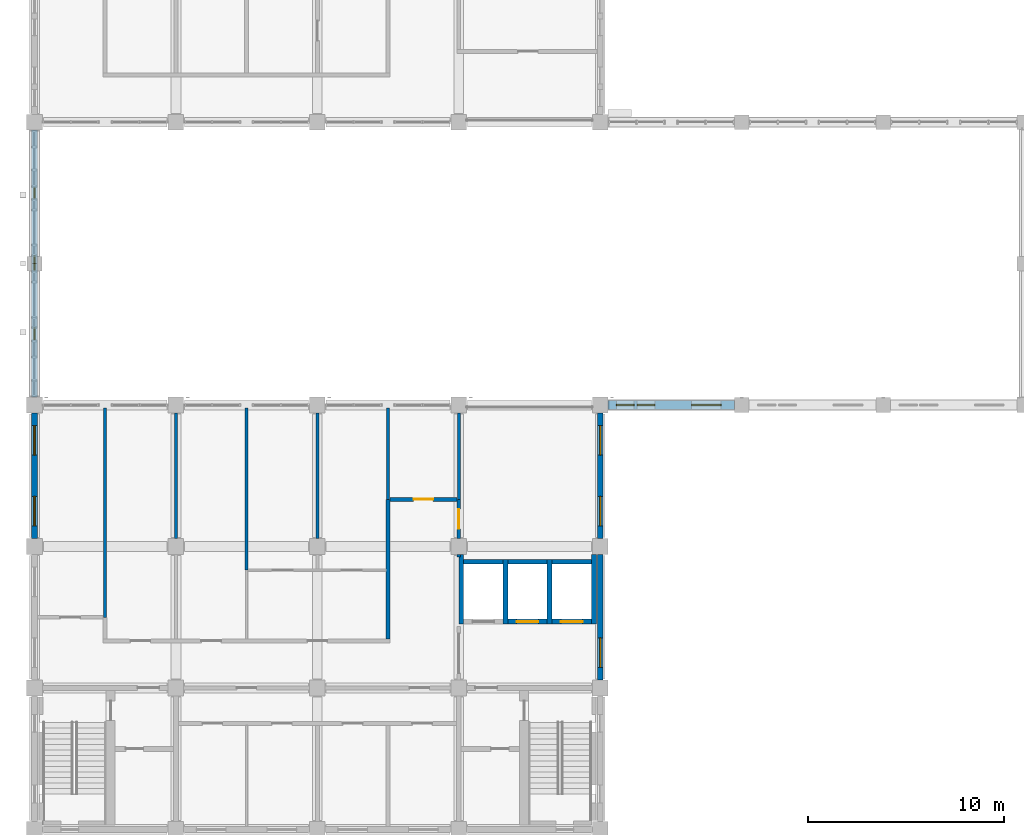
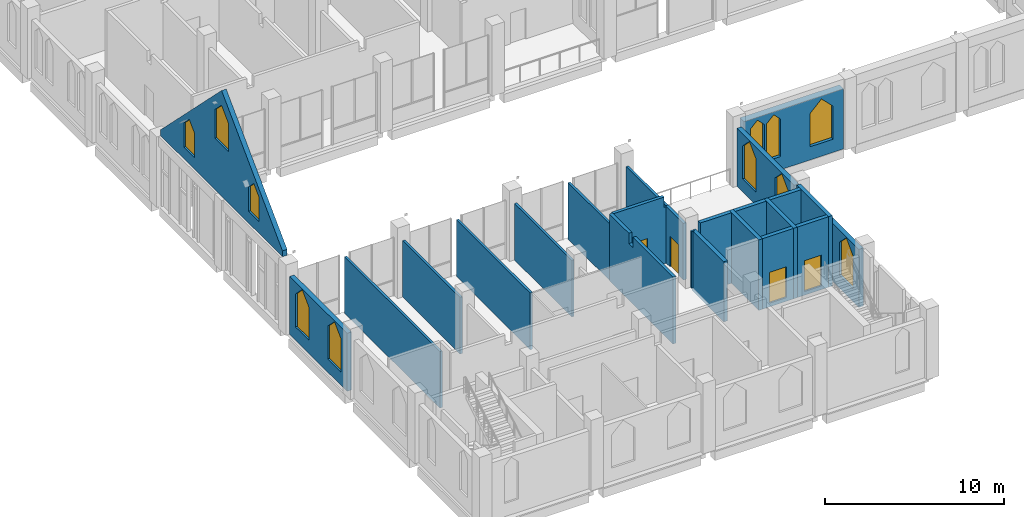
# One storey, part 20 of 31: 24 walls, 11 windows, 4 doors, 15 openings.
"""IFC4 building model written with IfcOpenShell, lengths in metres."""

import ifcopenshell
import ifcopenshell.guid

model = None  # the IFC model being written
_history = None  # IfcOwnerHistory: only IFC2X3 demands one
_inside = {}  # id of a spatial element -> (the spatial element, [elements in it])
_under = {}  # id of a project, library or spatial element -> (it, [spatial elements below it])
_declared = {}  # id of a project -> (the project, [libraries it declares])
_typed = {}  # id of a type object -> (the type object, [elements of that type])
_made_of = {}  # id of a material, layer set ... -> (it, [elements and type objects made of it])


def new_model(schema):
    """Start an empty IFC model of exactly this schema.

    Asked for "IFC4X3", IfcOpenShell would pick the latest addendum, in which some entities
    have other attributes; the version numbers below select the first issue.
    IFC2X3 requires an IfcOwnerHistory on every rooted entity: one is made here for all.
    """
    global model, _history
    if schema == "IFC4X3":
        model = ifcopenshell.file(schema_version=(4, 3, 0, 0))
    else:
        model = ifcopenshell.file(schema=schema)
    _inside.clear()
    _under.clear()
    _declared.clear()
    _typed.clear()
    _made_of.clear()
    _history = None
    if model.schema == "IFC2X3":
        org = make("IfcOrganization", Name="unknown")
        user = make(
            "IfcPersonAndOrganization",
            ThePerson=make("IfcPerson", FamilyName="unknown"),
            TheOrganization=org,
        )
        app = make(
            "IfcApplication",
            ApplicationDeveloper=org,
            Version="unknown",
            ApplicationFullName="unknown",
            ApplicationIdentifier="unknown",
        )
        _history = make(
            "IfcOwnerHistory",
            OwningUser=user,
            OwningApplication=app,
            ChangeAction="ADDED",
            CreationDate=0,
        )
    return model


def make(cls, **values):
    """One entity of the class cls with the attributes given. An attribute that is None is left unset."""
    return model.create_entity(
        cls, **{name: value for name, value in values.items() if value is not None}
    )


def rooted(cls, **values):
    """An entity with a GlobalId (a new one), such as an element, a storey or a relation."""
    return make(cls, GlobalId=ifcopenshell.guid.new(), OwnerHistory=_history, **values)


def si_unit(unit_type, name, prefix=None):
    """IfcSIUnit, for example si_unit("LENGTHUNIT", "METRE", prefix="MILLI")."""
    return make("IfcSIUnit", UnitType=unit_type, Prefix=prefix, Name=name)


def assignment(units):
    """IfcUnitAssignment: the units of a project."""
    return None if units is None else make("IfcUnitAssignment", Units=units)


def point(xyz):
    """IfcCartesianPoint."""
    return None if xyz is None else make("IfcCartesianPoint", Coordinates=xyz)


def direction(xyz):
    """IfcDirection."""
    return None if xyz is None else make("IfcDirection", DirectionRatios=xyz)


def frame(location, z_axis=None, x_axis=None):
    """IfcAxis2Placement3D, a coordinate frame: its origin and axes. An axis left out is left unset."""
    return make(
        "IfcAxis2Placement3D",
        Location=point(location),
        Axis=direction(z_axis),
        RefDirection=direction(x_axis),
    )


def frame_2d(location, x_axis=None):
    """IfcAxis2Placement2D, a coordinate frame in the plane: its origin and x axis."""
    return make(
        "IfcAxis2Placement2D", Location=point(location), RefDirection=direction(x_axis)
    )


def origin():
    """The frame at (0, 0, 0) with its axes left unset."""
    return frame((0.0, 0.0, 0.0))


def place(relative_to, where):
    """IfcLocalPlacement: puts the frame where relative to a parent placement (None: the world)."""
    return make(
        "IfcLocalPlacement", PlacementRelTo=relative_to, RelativePlacement=where
    )


def context(
    kind, dimensions, precision=None, world=None, true_north=None, identifier=None
):
    """IfcGeometricRepresentationContext, for example the 3D "Model" context."""
    return make(
        "IfcGeometricRepresentationContext",
        ContextIdentifier=identifier,
        ContextType=kind,
        CoordinateSpaceDimension=dimensions,
        Precision=precision,
        WorldCoordinateSystem=world,
        TrueNorth=true_north,
    )


def subcontext(parent, identifier, kind, view, scale=None):
    """IfcGeometricRepresentationSubContext, for example "Body" below "Model"."""
    return make(
        "IfcGeometricRepresentationSubContext",
        ContextIdentifier=identifier,
        ContextType=kind,
        ParentContext=parent,
        TargetScale=scale,
        TargetView=view,
    )


def project(units=None, contexts=None):
    """IfcProject with its units and contexts."""
    return rooted(
        "IfcProject",
        Name="project",
        RepresentationContexts=contexts,
        UnitsInContext=assignment(units),
    )


def spatial(cls, under=None, at=None, **own):
    """A site, building, storey or space (cls), placed at a placement, below another one or the project."""
    s = rooted(cls, ObjectPlacement=at, **own)
    if under is not None:
        _under.setdefault(under.id(), (under, []))[1].append(s)
    return s


def polyline(points):
    """IfcPolyline through the points."""
    return make("IfcPolyline", Points=[point(p) for p in points])


def profile(cls, at=None, kind="AREA", **sizes):
    """A parametric profile (cls). Its sizes go by their IFC names, for example OverallWidth=200.0."""
    return make(cls, ProfileType=kind, Position=at, **sizes)


def rectangle(**sizes):
    """IfcRectangleProfileDef."""
    return profile("IfcRectangleProfileDef", **sizes)


def outline(outer, holes=None, kind="AREA"):
    """IfcArbitraryClosedProfileDef: a profile drawn as a closed curve; with holes, ...WithVoids."""
    if holes is None:
        return make("IfcArbitraryClosedProfileDef", ProfileType=kind, OuterCurve=outer)
    return make(
        "IfcArbitraryProfileDefWithVoids",
        ProfileType=kind,
        OuterCurve=outer,
        InnerCurves=holes,
    )


def extrude(swept, where, along, depth):
    """IfcExtrudedAreaSolid: the profile swept, set in the frame where, extruded along a direction by depth."""
    return make(
        "IfcExtrudedAreaSolid",
        SweptArea=swept,
        Position=where,
        ExtrudedDirection=direction(along),
        Depth=depth,
    )


def shape(context_of_items, identifier, shape_type, items):
    """IfcShapeRepresentation: the items that make up one representation, for example the "Body"."""
    return make(
        "IfcShapeRepresentation",
        ContextOfItems=context_of_items,
        RepresentationIdentifier=identifier,
        RepresentationType=shape_type,
        Items=items,
    )


def material(Name=None, Category=None):
    """IfcMaterial."""
    return make("IfcMaterial", Name=Name, Category=Category)


def layer(
    of_material, thickness, ventilated=None, Name=None, Category=None, Priority=None
):
    """IfcMaterialLayer: one layer of a wall or slab, of a material (None: an air gap)."""
    return make(
        "IfcMaterialLayer",
        Material=of_material,
        LayerThickness=thickness,
        IsVentilated=ventilated,
        Name=Name,
        Category=Category,
        Priority=Priority,
    )


def layer_set(layers, Name=None):
    """IfcMaterialLayerSet."""
    return make("IfcMaterialLayerSet", MaterialLayers=layers, LayerSetName=Name)


def made_of(thing, what):
    """Note that an element or type object is made of a material, layer set ...; save() writes the relation."""
    if what is not None:
        _made_of.setdefault(what.id(), (what, []))[1].append(thing)
    return thing


def type_object(cls, material=None, **own):
    """A type object (cls), such as IfcWallType, which elements share."""
    return made_of(rooted(cls, **own), material)


def element(
    cls,
    number,
    at=None,
    inside=None,
    cuts=None,
    type_object=None,
    material=None,
    context=None,
    identifier="Body",
    shape_type=None,
    held_by="IfcProductDefinitionShape",
    body=None,
    shapes=None,
    **own,
):
    """One element of the class cls, such as IfcWall. Its Tag is "e" and its number.

    at: its placement. inside: the storey or other place that contains it. cuts: it is an
    opening in that element (IfcRelVoidsElement). A single representation is given by context,
    identifier, shape_type and body (its items); several are given by shapes. held_by: the class
    of the entity that holds the representations. save() writes the other relations.
    """
    e = rooted(cls, Tag="e%d" % number, ObjectPlacement=at, **own)
    if body is not None:
        shapes = [shape(context, identifier, shape_type, body)]
    if shapes is not None:
        e.Representation = make(held_by, Representations=shapes)
    if inside is not None:
        _inside.setdefault(inside.id(), (inside, []))[1].append(e)
    if cuts is not None:
        rooted(
            "IfcRelVoidsElement", RelatingBuildingElement=cuts, RelatedOpeningElement=e
        )
    if type_object is not None:
        _typed.setdefault(type_object.id(), (type_object, []))[1].append(e)
    return made_of(e, material)


def fill(opening, filler):
    """IfcRelFillsElement: the door or window that sits in an opening."""
    return rooted(
        "IfcRelFillsElement",
        RelatingOpeningElement=opening,
        RelatedBuildingElement=filler,
    )


def aggregate(whole, parts):
    """IfcRelAggregates: a whole, such as a stair, and the parts it consists of."""
    return rooted("IfcRelAggregates", RelatingObject=whole, RelatedObjects=parts)


def save(model, path):
    """Write the relations noted so far, then the file.

    IfcRelAggregates (storeys below a building ...), IfcRelContainedInSpatialStructure (elements
    in a storey), IfcRelDefinesByType, IfcRelAssociatesMaterial and IfcRelDeclares: one each for
    every whole, place, type object, material and project.
    """
    for whole, parts in _under.values():
        aggregate(whole, parts)
    for where, things in _inside.values():
        rooted(
            "IfcRelContainedInSpatialStructure",
            RelatedElements=things,
            RelatingStructure=where,
        )
    for kind, things in _typed.values():
        rooted("IfcRelDefinesByType", RelatedObjects=things, RelatingType=kind)
    for what, things in _made_of.values():
        rooted("IfcRelAssociatesMaterial", RelatedObjects=things, RelatingMaterial=what)
    for by, libraries in _declared.values():
        rooted("IfcRelDeclares", RelatingContext=by, RelatedDefinitions=libraries)
    model.write(path)


model = new_model("IFC4")

# Units and contexts
model_context = context("Model", 3, precision=1e-05, world=origin(), true_north=direction((0.0, 1.0)))
body_context = subcontext(model_context, "Body", "Model", "MODEL_VIEW")
ifc_project = project(units=[si_unit("LENGTHUNIT", "METRE"), si_unit("AREAUNIT", "SQUARE_METRE"), si_unit("VOLUMEUNIT", "CUBIC_METRE"), si_unit("PLANEANGLEUNIT", "RADIAN"), si_unit("MASSUNIT", "GRAM", prefix="KILO")], contexts=[model_context])

# Site, building, storey
site_placement = place(None, origin())
site = spatial("IfcSite", under=ifc_project, at=site_placement, CompositionType="ELEMENT")
building_placement = place(site_placement, origin())
building = spatial("IfcBuilding", under=site, at=building_placement, Name="Silangan Lancet Faculty of Sciences", CompositionType="ELEMENT")
storey_placement = place(building_placement, frame((0.0, 0.0, 36.0)))
storey = spatial("IfcBuildingStorey", under=building, at=storey_placement, Name="L07", CompositionType="ELEMENT", Elevation=36.0)

# Wall, openings, windows
ifc_material_1 = material(Name="Concrete C40/50 precast", Category="concrete")
ifc_layer_1 = layer(ifc_material_1, 0.300048828125)
ifc_layer_set_1 = layer_set([ifc_layer_1], Name="Concrete C40/50 precast")
wall_type_1 = type_object("IfcWallType", Name="EW1 Precast cladding wall", PredefinedType="STANDARD", material=ifc_layer_set_1)
wall_1_placement = place(storey_placement, frame((0.0, 14.800048828125, 0.0), z_axis=(0.0, 0.0, 1.0), x_axis=(0.0, 1.0, 0.0)))
wall_1 = element("IfcWall", 1, at=wall_1_placement, inside=storey, type_object=wall_type_1, Name="EW-L07-W-ST-02", PredefinedType="STANDARD", context=body_context, shape_type="SweptSolid", body=[
    extrude(rectangle(XDim=6.39990234375, YDim=0.300048828125, at=frame_2d((3.199951171875, 0.0))), origin(), (0.0, 0.0, 1.0), 3.949951171875),
])
opening_1_placement = place(wall_1_placement, frame((0.64990234375, 0.0, 0.89990234375)))
opening_1 = element("IfcOpeningElement", 2, at=opening_1_placement, cuts=wall_1, Name="Opening W20", PredefinedType="OPENING", context=body_context, shape_type="SweptSolid", body=[
    extrude(outline(polyline([(0.0, 0.0), (1.5, 0.0), (1.5, 2.25), (0.75, 3.0), (0.0, 2.25), (0.0, 0.0)])), frame((0.0, 0.159912109375, 0.0), z_axis=(0.0, -1.0, 0.0), x_axis=(1.0, 0.0, 0.0)), (0.0, 0.0, 1.0), 0.320068359375),
])
opening_2_placement = place(wall_1_placement, frame((4.25, 0.0, 0.89990234375)))
opening_2 = element("IfcOpeningElement", 3, at=opening_2_placement, cuts=wall_1, Name="Opening W20", PredefinedType="OPENING", context=body_context, shape_type="SweptSolid", body=[
    extrude(outline(polyline([(0.0, 0.0), (1.5, 0.0), (1.5, 2.25), (0.75, 3.0), (0.0, 2.25), (0.0, 0.0)])), frame((0.0, 0.159912109375, 0.0), z_axis=(0.0, -1.0, 0.0), x_axis=(1.0, 0.0, 0.0)), (0.0, 0.0, 1.0), 0.320068359375),
])
ifc_material_2 = material(Name="Aluminium frame, laminated double glazing", Category="aluminium")
window_type_1 = type_object("IfcWindowType", Name="W20 Lancet window 1500 x 3000", PartitioningType="SINGLE_PANEL", PredefinedType="WINDOW", material=ifc_material_2)
window_1_placement = place(opening_1_placement, origin())
window_1 = element("IfcWindow", 4, at=window_1_placement, inside=storey, type_object=window_type_1, Name="WIN-L07-W-ST-02a", OverallHeight=3.0, OverallWidth=1.5, PartitioningType="SINGLE_PANEL", PredefinedType="WINDOW", context=body_context, shape_type="SweptSolid", body=[
    extrude(outline(polyline([(0.0, 0.0), (1.5, 0.0), (1.5, 2.25), (0.75, 3.0), (0.0, 2.25), (0.0, 0.0)])), frame((0.0, 0.030029296875, 0.0), z_axis=(0.0, -1.0, 0.0), x_axis=(1.0, 0.0, 0.0)), (0.0, 0.0, 1.0), 0.06005859375),
])
fill(opening_1, window_1)
window_2_placement = place(opening_2_placement, origin())
window_2 = element("IfcWindow", 5, at=window_2_placement, inside=storey, type_object=window_type_1, Name="WIN-L07-W-ST-02b", OverallHeight=3.0, OverallWidth=1.5, PartitioningType="SINGLE_PANEL", PredefinedType="WINDOW", context=body_context, shape_type="SweptSolid", body=[
    extrude(outline(polyline([(0.0, 0.0), (1.5, 0.0), (1.5, 2.25), (0.75, 3.0), (0.0, 2.25), (0.0, 0.0)])), frame((0.0, 0.030029296875, 0.0), z_axis=(0.0, -1.0, 0.0), x_axis=(1.0, 0.0, 0.0)), (0.0, 0.0, 1.0), 0.06005859375),
])
fill(opening_2, window_2)

# Wall, opening, window
wall_2_placement = place(storey_placement, frame((28.800048828125, 7.60009765625, 0.0), z_axis=(0.0, 0.0, 1.0), x_axis=(0.0, 1.0, 0.0)))
wall_2 = element("IfcWall", 6, at=wall_2_placement, inside=storey, type_object=wall_type_1, Name="EW-L07-E-ST-01", PredefinedType="STANDARD", context=body_context, shape_type="SweptSolid", body=[
    extrude(rectangle(XDim=6.39990234375, YDim=0.300048828125, at=frame_2d((3.199951171875, 0.0))), origin(), (0.0, 0.0, 1.0), 3.949951171875),
])
opening_3_placement = place(wall_2_placement, frame((0.64990234375, 0.0, 0.89990234375)))
opening_3 = element("IfcOpeningElement", 7, at=opening_3_placement, cuts=wall_2, Name="Opening W20", PredefinedType="OPENING", context=body_context, shape_type="SweptSolid", body=[
    extrude(outline(polyline([(0.0, 0.0), (1.5, 0.0), (1.5, 2.25), (0.75, 3.0), (0.0, 2.25), (0.0, 0.0)])), frame((0.0, 0.159912109375, 0.0), z_axis=(0.0, -1.0, 0.0), x_axis=(1.0, 0.0, 0.0)), (0.0, 0.0, 1.0), 0.320068359375),
])
window_3_placement = place(opening_3_placement, origin())
window_3 = element("IfcWindow", 8, at=window_3_placement, inside=storey, type_object=window_type_1, Name="WIN-L07-E-ST-01a", OverallHeight=3.0, OverallWidth=1.5, PartitioningType="SINGLE_PANEL", PredefinedType="WINDOW", context=body_context, shape_type="SweptSolid", body=[
    extrude(outline(polyline([(0.0, 0.0), (1.5, 0.0), (1.5, 2.25), (0.75, 3.0), (0.0, 2.25), (0.0, 0.0)])), frame((0.0, 0.030029296875, 0.0), z_axis=(0.0, -1.0, 0.0), x_axis=(1.0, 0.0, 0.0)), (0.0, 0.0, 1.0), 0.06005859375),
])
fill(opening_3, window_3)

# Wall, openings, windows
wall_3_placement = place(storey_placement, frame((28.800048828125, 14.800048828125, 0.0), z_axis=(0.0, 0.0, 1.0), x_axis=(0.0, 1.0, 0.0)))
wall_3 = element("IfcWall", 9, at=wall_3_placement, inside=storey, type_object=wall_type_1, Name="EW-L07-E-ST-02", PredefinedType="STANDARD", context=body_context, shape_type="SweptSolid", body=[
    extrude(rectangle(XDim=6.39990234375, YDim=0.300048828125, at=frame_2d((3.199951171875, 0.0))), origin(), (0.0, 0.0, 1.0), 3.949951171875),
])
opening_4_placement = place(wall_3_placement, frame((0.64990234375, 0.0, 0.89990234375)))
opening_4 = element("IfcOpeningElement", 10, at=opening_4_placement, cuts=wall_3, Name="Opening W20", PredefinedType="OPENING", context=body_context, shape_type="SweptSolid", body=[
    extrude(outline(polyline([(0.0, 0.0), (1.5, 0.0), (1.5, 2.25), (0.75, 3.0), (0.0, 2.25), (0.0, 0.0)])), frame((0.0, 0.159912109375, 0.0), z_axis=(0.0, -1.0, 0.0), x_axis=(1.0, 0.0, 0.0)), (0.0, 0.0, 1.0), 0.320068359375),
])
opening_5_placement = place(wall_3_placement, frame((4.25, 0.0, 0.89990234375)))
opening_5 = element("IfcOpeningElement", 11, at=opening_5_placement, cuts=wall_3, Name="Opening W20", PredefinedType="OPENING", context=body_context, shape_type="SweptSolid", body=[
    extrude(outline(polyline([(0.0, 0.0), (1.5, 0.0), (1.5, 2.25), (0.75, 3.0), (0.0, 2.25), (0.0, 0.0)])), frame((0.0, 0.159912109375, 0.0), z_axis=(0.0, -1.0, 0.0), x_axis=(1.0, 0.0, 0.0)), (0.0, 0.0, 1.0), 0.320068359375),
])
window_4_placement = place(opening_4_placement, origin())
window_4 = element("IfcWindow", 12, at=window_4_placement, inside=storey, type_object=window_type_1, Name="WIN-L07-E-ST-02a", OverallHeight=3.0, OverallWidth=1.5, PartitioningType="SINGLE_PANEL", PredefinedType="WINDOW", context=body_context, shape_type="SweptSolid", body=[
    extrude(outline(polyline([(0.0, 0.0), (1.5, 0.0), (1.5, 2.25), (0.75, 3.0), (0.0, 2.25), (0.0, 0.0)])), frame((0.0, 0.030029296875, 0.0), z_axis=(0.0, -1.0, 0.0), x_axis=(1.0, 0.0, 0.0)), (0.0, 0.0, 1.0), 0.06005859375),
])
fill(opening_4, window_4)
window_5_placement = place(opening_5_placement, origin())
window_5 = element("IfcWindow", 13, at=window_5_placement, inside=storey, type_object=window_type_1, Name="WIN-L07-E-ST-02b", OverallHeight=3.0, OverallWidth=1.5, PartitioningType="SINGLE_PANEL", PredefinedType="WINDOW", context=body_context, shape_type="SweptSolid", body=[
    extrude(outline(polyline([(0.0, 0.0), (1.5, 0.0), (1.5, 2.25), (0.75, 3.0), (0.0, 2.25), (0.0, 0.0)])), frame((0.0, 0.030029296875, 0.0), z_axis=(0.0, -1.0, 0.0), x_axis=(1.0, 0.0, 0.0)), (0.0, 0.0, 1.0), 0.06005859375),
])
fill(opening_5, window_5)

ifc_material_3 = material(Name="Concrete C40/50", Category="concrete")
ifc_layer_2 = layer(ifc_material_3, 0.300048828125)
ifc_layer_set_2 = layer_set([ifc_layer_2], Name="Concrete C40/50")
wall_type_2 = type_object("IfcWallType", Name="EW10 Nave west gable wall", PredefinedType="POLYGONAL", material=ifc_layer_set_2)
wall_4_placement = place(storey_placement, frame((0.0, 22.0, 4.800048828125), z_axis=(0.0, 0.0, 1.0), x_axis=(0.0, 1.0, 0.0)))
wall_4 = element("IfcWall", 14, at=wall_4_placement, inside=storey, type_object=wall_type_2, Name="GABLE-W", PredefinedType="POLYGONAL", context=body_context, shape_type="SweptSolid", body=[
    extrude(outline(polyline([(0.0, 0.0), (13.60009765625, 0.0), (13.60009765625, 0.39990234375), (6.800048828125, 7.199951171875), (0.0, 0.39990234375), (0.0, 0.0)])), frame((0.0, 0.14990234375, 0.0), z_axis=(0.0, -1.0, 0.0), x_axis=(1.0, 0.0, 0.0)), (0.0, 0.0, 1.0), 0.300048828125),
])
opening_6_placement = place(wall_4_placement, frame((6.050048828125, 0.0, 3.5)))
opening_6 = element("IfcOpeningElement", 15, at=opening_6_placement, cuts=wall_4, Name="Opening W30", PredefinedType="OPENING", context=body_context, shape_type="SweptSolid", body=[
    extrude(outline(polyline([(0.0, 0.0), (1.5, 0.0), (1.5, 1.949951171875), (0.75, 2.699951171875), (0.0, 1.949951171875), (0.0, 0.0)])), frame((0.0, 0.159912109375, 0.0), z_axis=(0.0, -1.0, 0.0), x_axis=(1.0, 0.0, 0.0)), (0.0, 0.0, 1.0), 0.320068359375),
])
opening_7_placement = place(wall_4_placement, frame((2.60009765625, 0.0, 0.800048828125)))
opening_7 = element("IfcOpeningElement", 16, at=opening_7_placement, cuts=wall_4, Name="Opening W31", PredefinedType="OPENING", context=body_context, shape_type="SweptSolid", body=[
    extrude(outline(polyline([(0.0, 0.0), (1.199951171875, 0.0), (1.199951171875, 1.64990234375), (0.60009765625, 2.25), (0.0, 1.64990234375), (0.0, 0.0)])), frame((0.0, 0.159912109375, 0.0), z_axis=(0.0, -1.0, 0.0), x_axis=(1.0, 0.0, 0.0)), (0.0, 0.0, 1.0), 0.320068359375),
])
opening_8_placement = place(wall_4_placement, frame((9.800048828125, 0.0, 0.800048828125)))
opening_8 = element("IfcOpeningElement", 17, at=opening_8_placement, cuts=wall_4, Name="Opening W31", PredefinedType="OPENING", context=body_context, shape_type="SweptSolid", body=[
    extrude(outline(polyline([(0.0, 0.0), (1.199951171875, 0.0), (1.199951171875, 1.64990234375), (0.60009765625, 2.25), (0.0, 1.64990234375), (0.0, 0.0)])), frame((0.0, 0.159912109375, 0.0), z_axis=(0.0, -1.0, 0.0), x_axis=(1.0, 0.0, 0.0)), (0.0, 0.0, 1.0), 0.320068359375),
])
ifc_material_4 = material(Name="Aluminium frame, laminated double glazing", Category="aluminium")
window_type_2 = type_object("IfcWindowType", Name="W30 Lancet window 1500 x 2700 on a 3500 sill", PartitioningType="SINGLE_PANEL", PredefinedType="WINDOW", material=ifc_material_4)
window_6_placement = place(opening_6_placement, origin())
window_6 = element("IfcWindow", 18, at=window_6_placement, inside=storey, type_object=window_type_2, Name="WIN-L07-GABLE-C", OverallHeight=2.699951171875, OverallWidth=1.5, PartitioningType="SINGLE_PANEL", PredefinedType="WINDOW", context=body_context, shape_type="SweptSolid", body=[
    extrude(outline(polyline([(0.0, 0.0), (1.5, 0.0), (1.5, 1.949951171875), (0.75, 2.699951171875), (0.0, 1.949951171875), (0.0, 0.0)])), frame((0.0, 0.030029296875, 0.0), z_axis=(0.0, -1.0, 0.0), x_axis=(1.0, 0.0, 0.0)), (0.0, 0.0, 1.0), 0.06005859375),
])
fill(opening_6, window_6)
ifc_material_5 = material(Name="Aluminium frame, laminated double glazing", Category="aluminium")
window_type_3 = type_object("IfcWindowType", Name="W31 Lancet window 1200 x 2250 on a 800 sill", PartitioningType="SINGLE_PANEL", PredefinedType="WINDOW", material=ifc_material_5)
window_7_placement = place(opening_7_placement, origin())
window_7 = element("IfcWindow", 19, at=window_7_placement, inside=storey, type_object=window_type_3, Name="WIN-L07-GABLE-S", OverallHeight=2.25, OverallWidth=1.199951171875, PartitioningType="SINGLE_PANEL", PredefinedType="WINDOW", context=body_context, shape_type="SweptSolid", body=[
    extrude(outline(polyline([(0.0, 0.0), (1.199951171875, 0.0), (1.199951171875, 1.64990234375), (0.60009765625, 2.25), (0.0, 1.64990234375), (0.0, 0.0)])), frame((0.0, 0.030029296875, 0.0), z_axis=(0.0, -1.0, 0.0), x_axis=(1.0, 0.0, 0.0)), (0.0, 0.0, 1.0), 0.06005859375),
])
fill(opening_7, window_7)
window_8_placement = place(opening_8_placement, origin())
window_8 = element("IfcWindow", 20, at=window_8_placement, inside=storey, type_object=window_type_3, Name="WIN-L07-GABLE-N", OverallHeight=2.25, OverallWidth=1.199951171875, PartitioningType="SINGLE_PANEL", PredefinedType="WINDOW", context=body_context, shape_type="SweptSolid", body=[
    extrude(outline(polyline([(0.0, 0.0), (1.199951171875, 0.0), (1.199951171875, 1.64990234375), (0.60009765625, 2.25), (0.0, 1.64990234375), (0.0, 0.0)])), frame((0.0, 0.030029296875, 0.0), z_axis=(0.0, -1.0, 0.0), x_axis=(1.0, 0.0, 0.0)), (0.0, 0.0, 1.0), 0.06005859375),
])
fill(opening_8, window_8)

ifc_material_6 = material(Name="Concrete C40/50", Category="concrete")
ifc_layer_3 = layer(ifc_material_6, 0.449951171875)
ifc_layer_set_3 = layer_set([ifc_layer_3], Name="Concrete C40/50")
wall_type_3 = type_object("IfcWallType", Name="EW8 Clerestory wall with deep reveals", PredefinedType="STANDARD", material=ifc_layer_set_3)
wall_5_placement = place(storey_placement, frame((29.199951171875, 21.60009765625, 0.0), z_axis=(0.0, 0.0, 1.0), x_axis=(1.0, 0.0, 0.0)))
wall_5 = element("IfcWall", 21, at=wall_5_placement, inside=storey, type_object=wall_type_3, Name="EW-L07-S-NAVE-CL-00", PredefinedType="STANDARD", context=body_context, shape_type="SweptSolid", body=[
    extrude(rectangle(XDim=6.425048828125, YDim=0.449951171875, at=frame_2d((3.21240234375, 0.0))), origin(), (0.0, 0.0, 1.0), 4.10009765625),
])
opening_9_placement = place(wall_5_placement, frame((0.425048828125, 0.0, 0.89990234375)))
opening_9 = element("IfcOpeningElement", 22, at=opening_9_placement, cuts=wall_5, Name="Opening W17", PredefinedType="OPENING", context=body_context, shape_type="SweptSolid", body=[
    extrude(outline(polyline([(0.0, 0.0), (0.89990234375, 0.0), (0.89990234375, 2.550048828125), (0.449951171875, 3.0), (0.0, 2.550048828125), (0.0, 0.0)])), frame((0.0, 0.23486328125, 0.0), z_axis=(0.0, -1.0, 0.0), x_axis=(1.0, 0.0, 0.0)), (0.0, 0.0, 1.0), 0.469970703125),
])
opening_10_placement = place(wall_5_placement, frame((1.47509765625, 0.0, 0.89990234375)))
opening_10 = element("IfcOpeningElement", 23, at=opening_10_placement, cuts=wall_5, Name="Opening W17", PredefinedType="OPENING", context=body_context, shape_type="SweptSolid", body=[
    extrude(outline(polyline([(0.0, 0.0), (0.89990234375, 0.0), (0.89990234375, 2.550048828125), (0.449951171875, 3.0), (0.0, 2.550048828125), (0.0, 0.0)])), frame((0.0, 0.23486328125, 0.0), z_axis=(0.0, -1.0, 0.0), x_axis=(1.0, 0.0, 0.0)), (0.0, 0.0, 1.0), 0.469970703125),
])
opening_11_placement = place(wall_5_placement, frame((4.25, 0.0, 0.89990234375)))
opening_11 = element("IfcOpeningElement", 24, at=opening_11_placement, cuts=wall_5, Name="Opening W18", PredefinedType="OPENING", context=body_context, shape_type="SweptSolid", body=[
    extrude(outline(polyline([(0.0, 0.0), (1.5, 0.0), (1.5, 2.25), (0.75, 3.0), (0.0, 2.25), (0.0, 0.0)])), frame((0.0, 0.23486328125, 0.0), z_axis=(0.0, -1.0, 0.0), x_axis=(1.0, 0.0, 0.0)), (0.0, 0.0, 1.0), 0.469970703125),
])
ifc_material_7 = material(Name="Aluminium frame, laminated double glazing", Category="aluminium")
window_type_4 = type_object("IfcWindowType", Name="W17 Lancet window 900 x 3000", PartitioningType="SINGLE_PANEL", PredefinedType="WINDOW", material=ifc_material_7)
window_9_placement = place(opening_9_placement, origin())
window_9 = element("IfcWindow", 25, at=window_9_placement, inside=storey, type_object=window_type_4, Name="WIN-L07-S-NAVE-CL-00a1", OverallHeight=3.0, OverallWidth=0.89990234375, PartitioningType="SINGLE_PANEL", PredefinedType="WINDOW", context=body_context, shape_type="SweptSolid", body=[
    extrude(outline(polyline([(0.0, 0.0), (0.89990234375, 0.0), (0.89990234375, 2.550048828125), (0.449951171875, 3.0), (0.0, 2.550048828125), (0.0, 0.0)])), frame((0.0, 0.030029296875, 0.0), z_axis=(0.0, -1.0, 0.0), x_axis=(1.0, 0.0, 0.0)), (0.0, 0.0, 1.0), 0.06005859375),
])
fill(opening_9, window_9)
window_10_placement = place(opening_10_placement, origin())
window_10 = element("IfcWindow", 26, at=window_10_placement, inside=storey, type_object=window_type_4, Name="WIN-L07-S-NAVE-CL-00a2", OverallHeight=3.0, OverallWidth=0.89990234375, PartitioningType="SINGLE_PANEL", PredefinedType="WINDOW", context=body_context, shape_type="SweptSolid", body=[
    extrude(outline(polyline([(0.0, 0.0), (0.89990234375, 0.0), (0.89990234375, 2.550048828125), (0.449951171875, 3.0), (0.0, 2.550048828125), (0.0, 0.0)])), frame((0.0, 0.030029296875, 0.0), z_axis=(0.0, -1.0, 0.0), x_axis=(1.0, 0.0, 0.0)), (0.0, 0.0, 1.0), 0.06005859375),
])
fill(opening_10, window_10)
ifc_material_8 = material(Name="Aluminium storm louvre blades", Category="aluminium")
window_type_5 = type_object("IfcWindowType", Name="W18 Storm louvre lancet 1500 x 3000", PartitioningType="SINGLE_PANEL", PredefinedType="WINDOW", material=ifc_material_8)
window_11_placement = place(opening_11_placement, origin())
window_11 = element("IfcWindow", 27, at=window_11_placement, inside=storey, type_object=window_type_5, Name="WIN-L07-S-NAVE-CL-00b", OverallHeight=3.0, OverallWidth=1.5, PartitioningType="SINGLE_PANEL", PredefinedType="WINDOW", context=body_context, shape_type="SweptSolid", body=[
    extrude(outline(polyline([(0.0, 0.0), (1.5, 0.0), (1.5, 2.25), (0.75, 3.0), (0.0, 2.25), (0.0, 0.0)])), frame((0.0, 0.030029296875, 0.0), z_axis=(0.0, -1.0, 0.0), x_axis=(1.0, 0.0, 0.0)), (0.0, 0.0, 1.0), 0.06005859375),
])
fill(opening_11, window_11)

# Wall, opening, door
ifc_material_9 = material(Name="Hollow block masonry fm 7 MPa", Category="masonry")
ifc_layer_4 = layer(ifc_material_9, 0.199951171875)
ifc_layer_set_4 = layer_set([ifc_layer_4], Name="Hollow block masonry fm 7 MPa")
wall_type_4 = type_object("IfcWallType", Name="Interior wall PW1 Corridor wall CHB 200", PredefinedType="PARTITIONING", material=ifc_layer_set_4)
wall_6_placement = place(storey_placement, frame((18.10009765625, 16.800048828125, 0.0), z_axis=(0.0, 0.0, 1.0), x_axis=(1.0, 0.0, 0.0)))
wall_6 = element("IfcWall", 28, at=wall_6_placement, inside=storey, type_object=wall_type_4, Name="Corridor wall CHB 200", PredefinedType="PARTITIONING", context=body_context, shape_type="SweptSolid", body=[
    extrude(outline(polyline([(0.0, 0.0), (3.39990234375, 0.0), (3.39990234375, 3.85009765625), (3.27490234375, 3.85009765625), (3.27490234375, 4.550048828125), (0.0, 4.550048828125), (0.0, 0.0)])), frame((0.0, 0.10009765625, 0.0), z_axis=(0.0, -1.0, 0.0), x_axis=(1.0, 0.0, 0.0)), (0.0, 0.0, 1.0), 0.199951171875),
])
opening_12_placement = place(wall_6_placement, frame((1.199951171875, 0.0, 0.0)))
opening_12 = element("IfcOpeningElement", 29, at=opening_12_placement, cuts=wall_6, Name="Opening L07-011", PredefinedType="OPENING", context=body_context, shape_type="SweptSolid", body=[
    extrude(rectangle(XDim=1.0, YDim=2.10009765625, at=frame_2d((0.5, 1.050048828125))), frame((0.0, 0.10986328125, 0.0), z_axis=(0.0, -1.0, 0.0), x_axis=(1.0, 0.0, 0.0)), (0.0, 0.0, 1.0), 0.219970703125),
])
ifc_material_10 = material(Name="Steel fire door set", Category="steel")
door_type_1 = type_object("IfcDoorType", Name="Door D1 Single leaf fire door 1000 x 2100", OperationType="SINGLE_SWING_LEFT", PredefinedType="DOOR", material=ifc_material_10)
door_1_placement = place(opening_12_placement, origin())
door_1 = element("IfcDoor", 30, at=door_1_placement, inside=storey, type_object=door_type_1, Name="Single leaf fire door 1000 x 2100", OperationType="SINGLE_SWING_LEFT", OverallHeight=2.10009765625, OverallWidth=1.0, PredefinedType="DOOR", context=body_context, shape_type="SweptSolid", body=[
    extrude(rectangle(XDim=1.0, YDim=2.10009765625, at=frame_2d((0.5, 1.050048828125))), frame((0.0, 0.02490234375, 0.0), z_axis=(0.0, -1.0, 0.0), x_axis=(1.0, 0.0, 0.0)), (0.0, 0.0, 1.0), 0.050048828125),
])
fill(opening_12, door_1)

# Walls
wall_7_placement = place(storey_placement, frame((18.0, 9.699951171875, 0.0), z_axis=(0.0, 0.0, 1.0), x_axis=(0.0, 1.0, 0.0)))
element("IfcWall", 31, at=wall_7_placement, inside=storey, type_object=wall_type_4, Name="Corridor wall CHB 200", PredefinedType="PARTITIONING", context=body_context, shape_type="SweptSolid", body=[
    extrude(outline(polyline([(0.0, 0.0), (7.10009765625, 0.0), (7.10009765625, 4.550048828125), (4.925048828125, 4.550048828125), (4.925048828125, 3.85009765625), (4.47509765625, 3.85009765625), (4.47509765625, 4.550048828125), (0.0, 4.550048828125), (0.0, 0.0)])), frame((0.0, 0.10009765625, 0.0), z_axis=(0.0, -1.0, 0.0), x_axis=(1.0, 0.0, 0.0)), (0.0, 0.0, 1.0), 0.199951171875),
])
wall_8_placement = place(storey_placement, frame((21.60009765625, 13.875, 0.0), z_axis=(0.0, 0.0, 1.0), x_axis=(0.0, 1.0, 0.0)))
element("IfcWall", 32, at=wall_8_placement, inside=storey, type_object=wall_type_4, Name="Corridor wall CHB 200", PredefinedType="PARTITIONING", context=body_context, shape_type="SweptSolid", body=[
    extrude(rectangle(XDim=0.125, YDim=0.199951171875, at=frame_2d((0.0625, 0.0))), origin(), (0.0, 0.0, 1.0), 3.85009765625),
])

# Wall, opening, door
wall_9_placement = place(storey_placement, frame((21.60009765625, 14.800048828125, 0.0), z_axis=(0.0, 0.0, 1.0), x_axis=(0.0, 1.0, 0.0)))
wall_9 = element("IfcWall", 33, at=wall_9_placement, inside=storey, type_object=wall_type_4, Name="Corridor wall CHB 200", PredefinedType="PARTITIONING", context=body_context, shape_type="SweptSolid", body=[
    extrude(rectangle(XDim=2.0, YDim=0.199951171875, at=frame_2d((1.0, 0.0))), origin(), (0.0, 0.0, 1.0), 3.85009765625),
])
opening_13_placement = place(wall_9_placement, frame((0.5, 0.0, 0.0)))
opening_13 = element("IfcOpeningElement", 34, at=opening_13_placement, cuts=wall_9, Name="Opening L07-012", PredefinedType="OPENING", context=body_context, shape_type="SweptSolid", body=[
    extrude(rectangle(XDim=1.0, YDim=2.10009765625, at=frame_2d((0.5, 1.050048828125))), frame((0.0, 0.10986328125, 0.0), z_axis=(0.0, -1.0, 0.0), x_axis=(1.0, 0.0, 0.0)), (0.0, 0.0, 1.0), 0.219970703125),
])
door_2_placement = place(opening_13_placement, frame((1.0, 0.0, 0.0), z_axis=(0.0, 0.0, 1.0), x_axis=(-1.0, 0.0, 0.0)))
door_2 = element("IfcDoor", 35, at=door_2_placement, inside=storey, type_object=door_type_1, Name="Single leaf fire door 1000 x 2100", OperationType="SINGLE_SWING_LEFT", OverallHeight=2.10009765625, OverallWidth=1.0, PredefinedType="DOOR", context=body_context, shape_type="SweptSolid", body=[
    extrude(rectangle(XDim=1.0, YDim=2.10009765625, at=frame_2d((0.5, 1.050048828125))), frame((0.0, 0.025146484375, 0.0), z_axis=(0.0, -1.0, 0.0), x_axis=(1.0, 0.0, 0.0)), (0.0, 0.0, 1.0), 0.050048828125),
])
fill(opening_13, door_2)

# Walls
ifc_material_11 = material(Name="Hollow block masonry fm 7 MPa", Category="masonry")
ifc_layer_5 = layer(ifc_material_11, 0.14990234375)
ifc_layer_set_5 = layer_set([ifc_layer_5], Name="Hollow block masonry fm 7 MPa")
wall_type_5 = type_object("IfcWallType", Name="Interior wall PW3 Partition CHB 150", PredefinedType="PARTITIONING", material=ifc_layer_set_5)
wall_10_placement = place(storey_placement, frame((3.60009765625, 10.800048828125, 0.0), z_axis=(0.0, 0.0, 1.0), x_axis=(0.0, 1.0, 0.0)))
element("IfcWall", 36, at=wall_10_placement, inside=storey, type_object=wall_type_5, Name="Partition CHB 150", PredefinedType="PARTITIONING", context=body_context, shape_type="SweptSolid", body=[
    extrude(rectangle(XDim=10.64990234375, YDim=0.14990234375, at=frame_2d((5.324951171875, 0.0))), origin(), (0.0, 0.0, 1.0), 3.85009765625),
])
wall_11_placement = place(storey_placement, frame((7.199951171875, 14.800048828125, 0.0), z_axis=(0.0, 0.0, 1.0), x_axis=(0.0, 1.0, 0.0)))
element("IfcWall", 37, at=wall_11_placement, inside=storey, type_object=wall_type_5, Name="Partition CHB 150", PredefinedType="PARTITIONING", context=body_context, shape_type="SweptSolid", body=[
    extrude(rectangle(XDim=6.39990234375, YDim=0.14990234375, at=frame_2d((3.199951171875, 0.0))), origin(), (0.0, 0.0, 1.0), 3.85009765625),
])
wall_12_placement = place(storey_placement, frame((10.800048828125, 13.199951171875, 0.0), z_axis=(0.0, 0.0, 1.0), x_axis=(0.0, 1.0, 0.0)))
element("IfcWall", 38, at=wall_12_placement, inside=storey, type_object=wall_type_5, Name="Partition CHB 150", PredefinedType="PARTITIONING", context=body_context, shape_type="SweptSolid", body=[
    extrude(rectangle(XDim=8.25, YDim=0.14990234375, at=frame_2d((4.125, 0.0))), origin(), (0.0, 0.0, 1.0), 3.85009765625),
])
wall_13_placement = place(storey_placement, frame((14.39990234375, 14.800048828125, 0.0), z_axis=(0.0, 0.0, 1.0), x_axis=(0.0, 1.0, 0.0)))
element("IfcWall", 39, at=wall_13_placement, inside=storey, type_object=wall_type_5, Name="Partition CHB 150", PredefinedType="PARTITIONING", context=body_context, shape_type="SweptSolid", body=[
    extrude(rectangle(XDim=6.39990234375, YDim=0.14990234375, at=frame_2d((3.199951171875, 0.0))), origin(), (0.0, 0.0, 1.0), 3.85009765625),
])
wall_14_placement = place(storey_placement, frame((18.0, 16.800048828125, 0.0), z_axis=(0.0, 0.0, 1.0), x_axis=(0.0, 1.0, 0.0)))
element("IfcWall", 40, at=wall_14_placement, inside=storey, type_object=wall_type_5, Name="Partition CHB 150", PredefinedType="PARTITIONING", context=body_context, shape_type="SweptSolid", body=[
    extrude(rectangle(XDim=4.64990234375, YDim=0.14990234375, at=frame_2d((2.324951171875, 0.0))), origin(), (0.0, 0.0, 1.0), 3.85009765625),
])
wall_15_placement = place(storey_placement, frame((21.60009765625, 16.800048828125, 0.0), z_axis=(0.0, 0.0, 1.0), x_axis=(0.0, 1.0, 0.0)))
element("IfcWall", 41, at=wall_15_placement, inside=storey, type_object=wall_type_5, Name="Partition CHB 150", PredefinedType="PARTITIONING", context=body_context, shape_type="SweptSolid", body=[
    extrude(rectangle(XDim=4.39990234375, YDim=0.14990234375, at=frame_2d((2.199951171875, 0.0))), origin(), (0.0, 0.0, 1.0), 3.85009765625),
])
ifc_material_12 = material(Name="Concrete C40/50", Category="concrete")
ifc_layer_6 = layer(ifc_material_12, 0.25)
ifc_layer_set_6 = layer_set([ifc_layer_6], Name="Concrete C40/50")
wall_type_6 = type_object("IfcWallType", Name="LIFT SHAFT WALL RC 250", PredefinedType="SHEAR", material=ifc_layer_set_6)
wall_16_placement = place(storey_placement, frame((21.72509765625, 10.449951171875, -0.25), z_axis=(0.0, 0.0, 1.0), x_axis=(0.0, 1.0, 0.0)))
element("IfcWall", 42, at=wall_16_placement, inside=storey, type_object=wall_type_6, Name="WALL-L07-ST-SW1", PredefinedType="SHEAR", context=body_context, shape_type="SweptSolid", body=[
    extrude(rectangle(XDim=3.550048828125, YDim=0.25, at=frame_2d((1.77490234375, 0.0))), origin(), (0.0, 0.0, 1.0), 4.10009765625),
])
for number, where, z_axis, x_axis, name in (
    (43, (23.97509765625, 10.449951171875, -0.25), (0.0, 0.0, 1.0), (0.0, 1.0, 0.0), "WALL-L07-ST-SW2"),
    (44, (26.22509765625, 10.449951171875, -0.25), (0.0, 0.0, 1.0), (0.0, 1.0, 0.0), "WALL-L07-ST-SW3"),
):
    element("IfcWall", number, at=place(storey_placement, frame(where, z_axis=z_axis, x_axis=x_axis)), inside=storey, type_object=wall_type_6, Name=name, PredefinedType="SHEAR", context=body_context, shape_type="SweptSolid", body=[
        extrude(rectangle(XDim=3.300048828125, YDim=0.25, at=frame_2d((1.64990234375, 0.0))), origin(), (0.0, 0.0, 1.0), 4.800048828125),
    ])
wall_17_placement = place(storey_placement, frame((28.47509765625, 10.449951171875, -0.25), z_axis=(0.0, 0.0, 1.0), x_axis=(0.0, 1.0, 0.0)))
element("IfcWall", 45, at=wall_17_placement, inside=storey, type_object=wall_type_6, Name="WALL-L07-ST-SW4", PredefinedType="SHEAR", context=body_context, shape_type="SweptSolid", body=[
    extrude(rectangle(XDim=3.550048828125, YDim=0.25, at=frame_2d((1.77490234375, 0.0))), origin(), (0.0, 0.0, 1.0), 4.800048828125),
])
wall_18_placement = place(storey_placement, frame((21.85009765625, 13.625, -0.25), z_axis=(0.0, 0.0, 1.0), x_axis=(1.0, 0.0, 0.0)))
element("IfcWall", 46, at=wall_18_placement, inside=storey, type_object=wall_type_6, Name="WALL-L07-ST-L1-B", PredefinedType="SHEAR", context=body_context, shape_type="SweptSolid", body=[
    extrude(rectangle(XDim=2.0, YDim=0.25, at=frame_2d((1.0, 0.0))), origin(), (0.0, 0.0, 1.0), 4.800048828125),
])

# Wall, opening, door
wall_19_placement = place(storey_placement, frame((24.10009765625, 10.574951171875, -0.25), z_axis=(0.0, 0.0, 1.0), x_axis=(1.0, 0.0, 0.0)))
wall_19 = element("IfcWall", 47, at=wall_19_placement, inside=storey, type_object=wall_type_6, Name="WALL-L07-ST-L2-F", PredefinedType="SHEAR", context=body_context, shape_type="SweptSolid", body=[
    extrude(rectangle(XDim=2.0, YDim=0.25, at=frame_2d((1.0, 0.0))), origin(), (0.0, 0.0, 1.0), 4.800048828125),
])
opening_14_placement = place(wall_19_placement, frame((0.449951171875, 0.0, 0.25)))
opening_14 = element("IfcOpeningElement", 48, at=opening_14_placement, cuts=wall_19, Name="Opening L07-805", PredefinedType="OPENING", context=body_context, shape_type="SweptSolid", body=[
    extrude(rectangle(XDim=1.10009765625, YDim=2.10009765625, at=frame_2d((0.550048828125, 1.050048828125))), frame((0.0, 0.135009765625, 0.0), z_axis=(0.0, -1.0, 0.0), x_axis=(1.0, 0.0, 0.0)), (0.0, 0.0, 1.0), 0.27001953125),
])
ifc_material_13 = material(Name="Stainless steel sliding door", Category="steel")
door_type_2 = type_object("IfcDoorType", Name="LD1 Lift landing door 1100x2100", OperationType="SLIDING_TO_LEFT", PredefinedType="DOOR", material=ifc_material_13)
door_3_placement = place(opening_14_placement, origin())
door_3 = element("IfcDoor", 49, at=door_3_placement, inside=storey, type_object=door_type_2, Name="Landing door ST-L2 L07", OperationType="SLIDING_TO_LEFT", OverallHeight=2.10009765625, OverallWidth=1.10009765625, PredefinedType="DOOR", context=body_context, shape_type="SweptSolid", body=[
    extrude(rectangle(XDim=1.10009765625, YDim=2.10009765625, at=frame_2d((0.550048828125, 1.050048828125))), frame((0.0, 0.02490234375, 0.0), z_axis=(0.0, -1.0, 0.0), x_axis=(1.0, 0.0, 0.0)), (0.0, 0.0, 1.0), 0.050048828125),
])
fill(opening_14, door_3)

# Wall
wall_20_placement = place(storey_placement, frame((24.10009765625, 13.625, -0.25), z_axis=(0.0, 0.0, 1.0), x_axis=(1.0, 0.0, 0.0)))
element("IfcWall", 50, at=wall_20_placement, inside=storey, type_object=wall_type_6, Name="WALL-L07-ST-L2-B", PredefinedType="SHEAR", context=body_context, shape_type="SweptSolid", body=[
    extrude(rectangle(XDim=2.0, YDim=0.25, at=frame_2d((1.0, 0.0))), origin(), (0.0, 0.0, 1.0), 4.800048828125),
])

# Wall, opening, door
wall_21_placement = place(storey_placement, frame((26.35009765625, 10.574951171875, -0.25), z_axis=(0.0, 0.0, 1.0), x_axis=(1.0, 0.0, 0.0)))
wall_21 = element("IfcWall", 51, at=wall_21_placement, inside=storey, type_object=wall_type_6, Name="WALL-L07-ST-L3-F", PredefinedType="SHEAR", context=body_context, shape_type="SweptSolid", body=[
    extrude(rectangle(XDim=2.0, YDim=0.25, at=frame_2d((1.0, 0.0))), origin(), (0.0, 0.0, 1.0), 4.800048828125),
])
opening_15_placement = place(wall_21_placement, frame((0.449951171875, 0.0, 0.25)))
opening_15 = element("IfcOpeningElement", 52, at=opening_15_placement, cuts=wall_21, Name="Opening L07-806", PredefinedType="OPENING", context=body_context, shape_type="SweptSolid", body=[
    extrude(rectangle(XDim=1.10009765625, YDim=2.10009765625, at=frame_2d((0.550048828125, 1.050048828125))), frame((0.0, 0.135009765625, 0.0), z_axis=(0.0, -1.0, 0.0), x_axis=(1.0, 0.0, 0.0)), (0.0, 0.0, 1.0), 0.27001953125),
])
door_4_placement = place(opening_15_placement, origin())
door_4 = element("IfcDoor", 53, at=door_4_placement, inside=storey, type_object=door_type_2, Name="Landing door ST-L3 L07", OperationType="SLIDING_TO_LEFT", OverallHeight=2.10009765625, OverallWidth=1.10009765625, PredefinedType="DOOR", context=body_context, shape_type="SweptSolid", body=[
    extrude(rectangle(XDim=1.10009765625, YDim=2.10009765625, at=frame_2d((0.550048828125, 1.050048828125))), frame((0.0, 0.02490234375, 0.0), z_axis=(0.0, -1.0, 0.0), x_axis=(1.0, 0.0, 0.0)), (0.0, 0.0, 1.0), 0.050048828125),
])
fill(opening_15, door_4)

# Wall
wall_22_placement = place(storey_placement, frame((26.35009765625, 13.625, -0.25), z_axis=(0.0, 0.0, 1.0), x_axis=(1.0, 0.0, 0.0)))
element("IfcWall", 54, at=wall_22_placement, inside=storey, type_object=wall_type_6, Name="WALL-L07-ST-L3-B", PredefinedType="SHEAR", context=body_context, shape_type="SweptSolid", body=[
    extrude(rectangle(XDim=2.0, YDim=0.25, at=frame_2d((1.0, 0.0))), origin(), (0.0, 0.0, 1.0), 4.800048828125),
])

save(model, "model.ifc")
